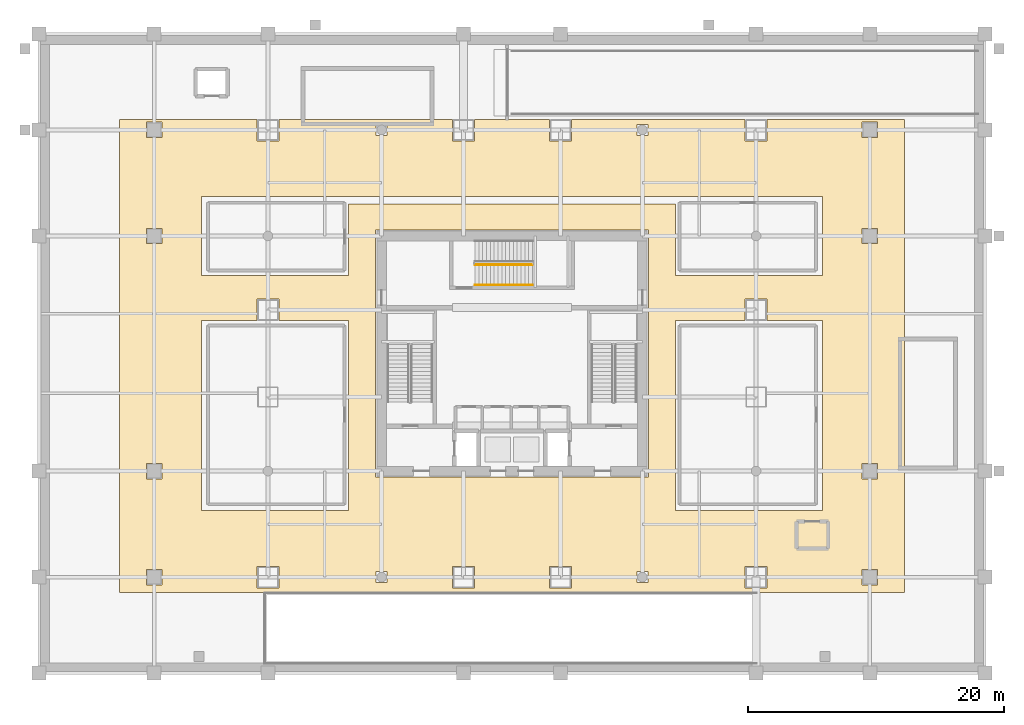
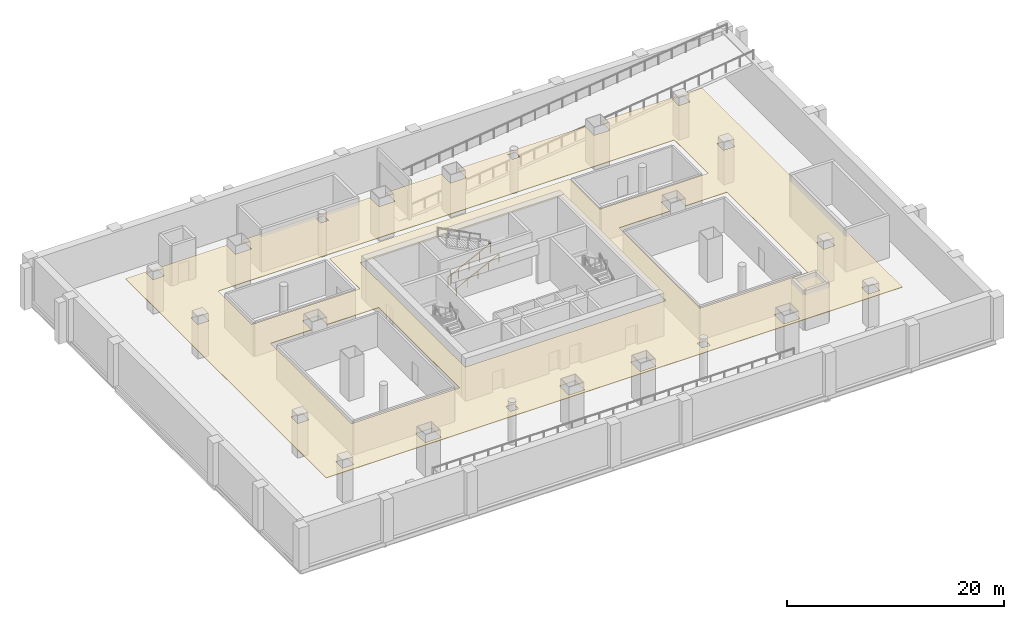
# One storey, part 9 of 12: 2 railings, 1 covering.
"""IFC4 building model written with IfcOpenShell, lengths in metres."""

from ifc_helpers import new_model, si_unit, direction, frame, origin, origin_2d, place, context, subcontext, project, spatial, polyline, circle, outline, extrude, material, layer, layer_set, type_object, element, save


model = new_model("IFC4")

# Units and contexts
model_context = context("Model", 3, precision=1e-05, world=origin(), true_north=direction((0.0, 1.0)))
body_context = subcontext(model_context, "Body", "Model", "MODEL_VIEW")
ifc_project = project(units=[si_unit("LENGTHUNIT", "METRE"), si_unit("AREAUNIT", "SQUARE_METRE"), si_unit("VOLUMEUNIT", "CUBIC_METRE"), si_unit("PLANEANGLEUNIT", "RADIAN"), si_unit("MASSUNIT", "GRAM", prefix="KILO")], contexts=[model_context])

# Site, building, storey
site_placement = place(None, origin())
site = spatial("IfcSite", under=ifc_project, at=site_placement, CompositionType="ELEMENT")
building_placement = place(site_placement, origin())
building = spatial("IfcBuilding", under=site, at=building_placement, Name="Punatoya Terracotta Tower", CompositionType="ELEMENT")
storey_placement = place(building_placement, frame((0.0, 0.0, -4.800048828125)))
storey = spatial("IfcBuildingStorey", under=building, at=storey_placement, Name="B1", CompositionType="ELEMENT", Elevation=-4.800048828125)

# Covering
ifc_material_1 = material(Name="Acoustic Mineral Fibre Ceiling")
ifc_layer = layer(ifc_material_1, 0.06005859375)
ifc_layer_set = layer_set([ifc_layer], Name="Acoustic Mineral Fibre Ceiling")
covering_type = type_object("IfcCoveringType", Name="COV-CEIL-60", PredefinedType="CEILING", material=ifc_layer_set)
covering_placement = place(storey_placement, frame((0.0, 0.0, 3.91015625)))
element("IfcCovering", 1, at=covering_placement, inside=storey, type_object=covering_type, Name="B1 Two-Way Basement Parking and Core Circulation Loop Acoustic Ceiling", PredefinedType="CEILING", context=body_context, shape_type="SweptSolid", body=[
    extrude(outline(polyline([(30.699951171875, -18.699951171875), (30.699951171875, 18.300048828125), (19.949951171875, 18.300048828125), (19.949951171875, 16.64990234375), (18.25, 16.64990234375), (18.25, 18.300048828125), (4.64990234375, 18.300048828125), (4.64990234375, 16.64990234375), (2.949951171875, 16.64990234375), (2.949951171875, 18.300048828125), (-2.949951171875, 18.300048828125), (-2.949951171875, 16.64990234375), (-4.64990234375, 16.64990234375), (-4.64990234375, 18.300048828125), (-18.25, 18.300048828125), (-18.25, 16.64990234375), (-19.949951171875, 16.64990234375), (-19.949951171875, 18.300048828125), (-30.699951171875, 18.300048828125), (-30.699951171875, -18.699951171875), (30.699951171875, -18.699951171875)]), holes=[polyline([(28.60009765625, 18.10009765625), (28.60009765625, 16.89990234375), (27.39990234375, 16.89990234375), (27.39990234375, 18.10009765625), (28.60009765625, 18.10009765625)]), polyline([(28.60009765625, 8.60009765625), (27.39990234375, 8.60009765625), (27.39990234375, 9.800048828125), (28.60009765625, 9.800048828125), (28.60009765625, 8.60009765625)]), polyline([(28.60009765625, -8.60009765625), (28.60009765625, -9.800048828125), (27.39990234375, -9.800048828125), (27.39990234375, -8.60009765625), (28.60009765625, -8.60009765625)]), polyline([(28.60009765625, -16.89990234375), (28.60009765625, -18.10009765625), (27.39990234375, -18.10009765625), (27.39990234375, -16.89990234375), (28.60009765625, -16.89990234375)]), polyline([(18.25, 2.60009765625), (18.25, 4.25), (19.949951171875, 4.25), (19.949951171875, 2.60009765625), (24.300048828125, 2.60009765625), (24.300048828125, -12.300048828125), (12.800048828125, -12.300048828125), (12.800048828125, 2.60009765625), (18.25, 2.60009765625)]), polyline([(12.800048828125, 11.699951171875), (-12.800048828125, 11.699951171875), (-12.800048828125, 6.10009765625), (-24.300048828125, 6.10009765625), (-24.300048828125, 12.300048828125), (24.300048828125, 12.300048828125), (24.300048828125, 6.10009765625), (12.800048828125, 6.10009765625), (12.800048828125, 11.699951171875)]), polyline([(19.949951171875, -18.35009765625), (18.25, -18.35009765625), (18.25, -16.64990234375), (19.949951171875, -16.64990234375), (19.949951171875, -18.35009765625)]), polyline([(10.679931640625, -9.679931640625), (-10.679931640625, -9.679931640625), (-10.679931640625, 9.679931640625), (10.679931640625, 9.679931640625), (10.679931640625, -9.679931640625)]), polyline([(9.77490234375, -17.074951171875), (10.625, -17.074951171875), (10.625, -17.925048828125), (9.77490234375, -17.925048828125), (9.77490234375, -17.074951171875)]), polyline([(10.625, 17.074951171875), (9.77490234375, 17.074951171875), (9.77490234375, 17.925048828125), (10.625, 17.925048828125), (10.625, 17.074951171875)]), polyline([(4.64990234375, -16.64990234375), (4.64990234375, -18.35009765625), (2.949951171875, -18.35009765625), (2.949951171875, -16.64990234375), (4.64990234375, -16.64990234375)]), polyline([(-4.64990234375, -16.64990234375), (-2.949951171875, -16.64990234375), (-2.949951171875, -18.35009765625), (-4.64990234375, -18.35009765625), (-4.64990234375, -16.64990234375)]), polyline([(-9.77490234375, 17.925048828125), (-9.77490234375, 17.074951171875), (-10.625, 17.074951171875), (-10.625, 17.925048828125), (-9.77490234375, 17.925048828125)]), polyline([(-10.625, -17.925048828125), (-10.625, -17.074951171875), (-9.77490234375, -17.074951171875), (-9.77490234375, -17.925048828125), (-10.625, -17.925048828125)]), polyline([(-12.800048828125, -12.300048828125), (-24.300048828125, -12.300048828125), (-24.300048828125, 2.60009765625), (-19.949951171875, 2.60009765625), (-19.949951171875, 4.25), (-18.25, 4.25), (-18.25, 2.60009765625), (-12.800048828125, 2.60009765625), (-12.800048828125, -12.300048828125)]), polyline([(-19.949951171875, -18.35009765625), (-19.949951171875, -16.64990234375), (-18.25, -16.64990234375), (-18.25, -18.35009765625), (-19.949951171875, -18.35009765625)]), polyline([(-28.60009765625, -16.89990234375), (-27.39990234375, -16.89990234375), (-27.39990234375, -18.10009765625), (-28.60009765625, -18.10009765625), (-28.60009765625, -16.89990234375)]), polyline([(-28.60009765625, 18.10009765625), (-27.39990234375, 18.10009765625), (-27.39990234375, 16.89990234375), (-28.60009765625, 16.89990234375), (-28.60009765625, 18.10009765625)]), polyline([(-28.60009765625, 9.800048828125), (-27.39990234375, 9.800048828125), (-27.39990234375, 8.60009765625), (-28.60009765625, 8.60009765625), (-28.60009765625, 9.800048828125)]), polyline([(-28.60009765625, -9.800048828125), (-28.60009765625, -8.60009765625), (-27.39990234375, -8.60009765625), (-27.39990234375, -9.800048828125), (-28.60009765625, -9.800048828125)])]), origin(), (0.0, 0.0, 1.0), 0.059814453125),
])

# Railings
ifc_material_2 = material(Name="Steel S355", Category="steel")
railing_type_1 = type_object("IfcRailingType", Name="RLG-GRD-1150", PredefinedType="GUARDRAIL", material=ifc_material_2)
railing_1_placement = place(storey_placement, frame((-2.89990234375, 6.949951171875, 0.150146484375)))
element("IfcRailing", 2, at=railing_1_placement, inside=storey, type_object=railing_type_1, Name="B1 ST-3 stair guard 1", PredefinedType="GUARDRAIL", context=body_context, shape_type="SweptSolid", body=[
    extrude(circle(Radius=0.02392578125, at=origin_2d()), frame((0.0, 0.0, 1.1259765625), z_axis=(0.894427191, 0.0, 0.4472135955), x_axis=(0.0, 1.0, 0.0)), (0.0, 0.0, 1.0), 5.03125),
    extrude(circle(Radius=0.02099609375, at=origin_2d()), origin(), (0.0, 0.0, 1.0), 1.101806640625),
    extrude(circle(Radius=0.02099609375, at=origin_2d()), frame((1.125, 0.0, 0.5625)), (0.0, 0.0, 1.0), 1.101806640625),
    extrude(circle(Radius=0.02099609375, at=origin_2d()), frame((2.25, 0.0, 1.125)), (0.0, 0.0, 1.0), 1.101806640625),
    extrude(circle(Radius=0.02099609375, at=origin_2d()), frame((3.375, 0.0, 1.6875)), (0.0, 0.0, 1.0), 1.101806640625),
    extrude(circle(Radius=0.02099609375, at=origin_2d()), frame((4.5, 0.0, 2.25)), (0.0, 0.0, 1.0), 1.101806640625),
])
railing_type_2 = type_object("IfcRailingType", Name="RLG-HND-900", PredefinedType="HANDRAIL", material=ifc_material_2)
railing_2_placement = place(storey_placement, frame((-2.89990234375, 5.35009765625, 0.150146484375)))
element("IfcRailing", 3, at=railing_2_placement, inside=storey, type_object=railing_type_2, Name="B1 ST-3 stair handrail 1", PredefinedType="HANDRAIL", context=body_context, shape_type="SweptSolid", body=[
    extrude(circle(Radius=0.02392578125, at=origin_2d()), frame((0.0, 0.0, 0.8759765625), z_axis=(0.894427191, 0.0, 0.4472135955), x_axis=(0.0, 1.0, 0.0)), (0.0, 0.0, 1.0), 5.03125),
    extrude(circle(Radius=0.02099609375, at=origin_2d()), origin(), (0.0, 0.0, 1.0), 0.851806640625),
    extrude(circle(Radius=0.02099609375, at=origin_2d()), frame((1.125, 0.0, 0.5625)), (0.0, 0.0, 1.0), 0.851806640625),
    extrude(circle(Radius=0.02099609375, at=origin_2d()), frame((2.25, 0.0, 1.125)), (0.0, 0.0, 1.0), 0.851806640625),
    extrude(circle(Radius=0.02099609375, at=origin_2d()), frame((3.375, 0.0, 1.6875)), (0.0, 0.0, 1.0), 0.851806640625),
    extrude(circle(Radius=0.02099609375, at=origin_2d()), frame((4.5, 0.0, 2.25)), (0.0, 0.0, 1.0), 0.851806640625),
])

save(model, "model.ifc")
